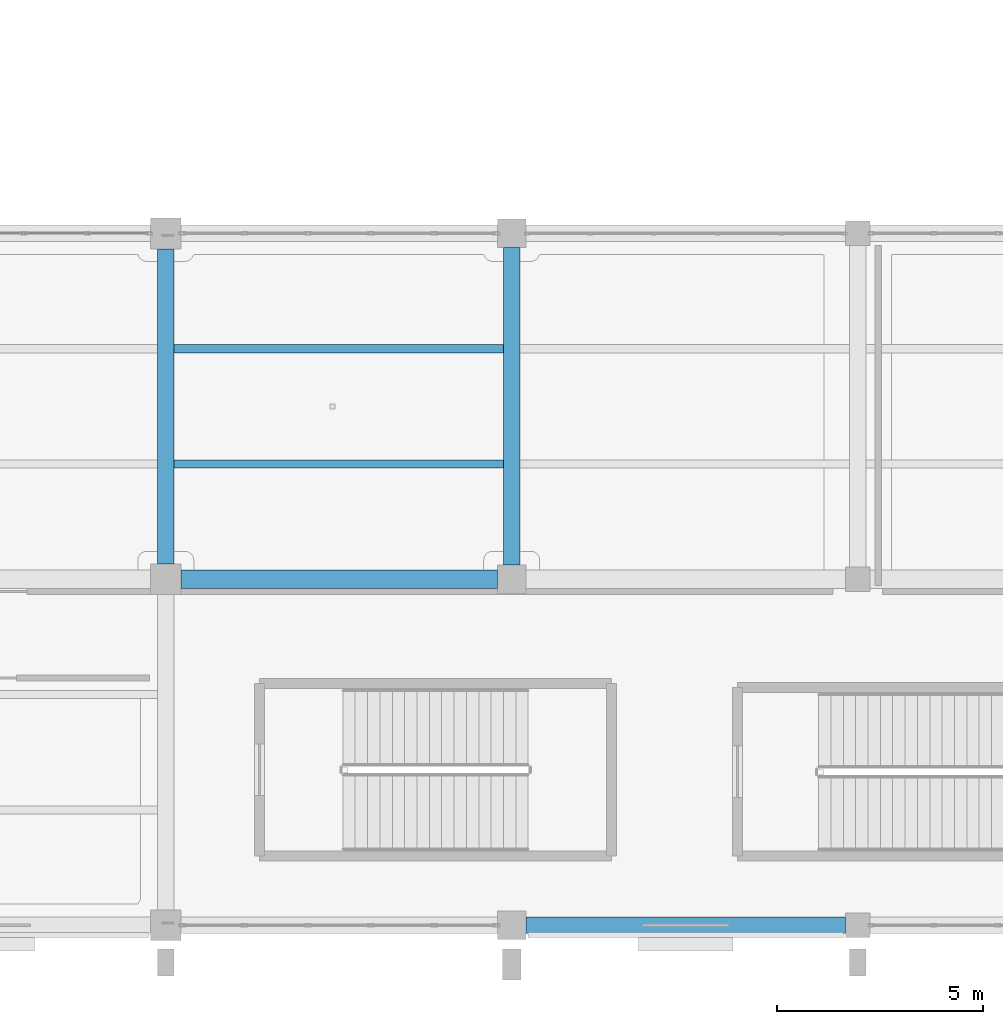
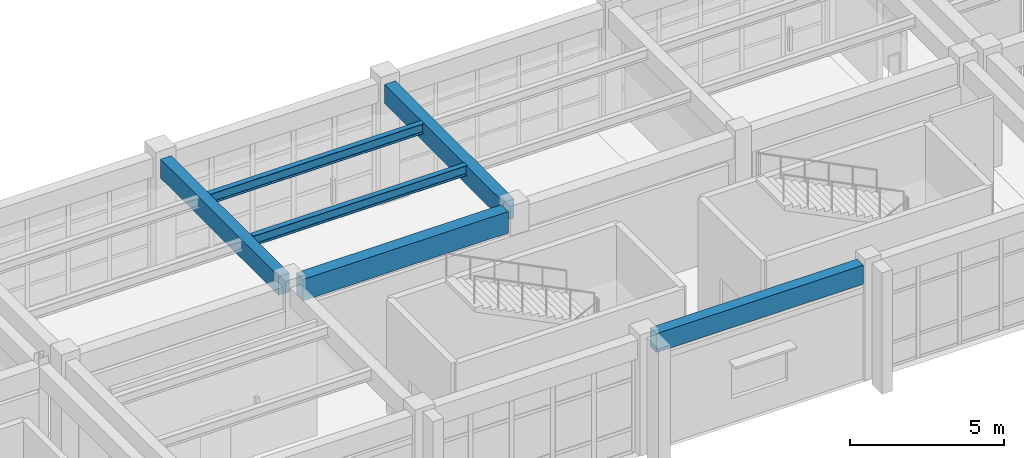
# One storey, part 19 of 98: 6 beams.
"""IFC4 building model written with IfcOpenShell, lengths in metres."""

from ifc_helpers import new_model, si_unit, direction, frame, origin, origin_2d, place, context, subcontext, project, spatial, rectangle, i_section, extrude, material, material_profile, profile_set, type_object, element, save


model = new_model("IFC4")

# Units and contexts
model_context = context("Model", 3, precision=1e-05, world=origin(), true_north=direction((0.0, 1.0)))
body_context = subcontext(model_context, "Body", "Model", "MODEL_VIEW")
ifc_project = project(units=[si_unit("LENGTHUNIT", "METRE"), si_unit("AREAUNIT", "SQUARE_METRE"), si_unit("VOLUMEUNIT", "CUBIC_METRE"), si_unit("PLANEANGLEUNIT", "RADIAN"), si_unit("MASSUNIT", "GRAM", prefix="KILO")], contexts=[model_context])

# Site, building, storey
site_placement = place(None, origin())
site = spatial("IfcSite", under=ifc_project, at=site_placement, CompositionType="ELEMENT")
building_placement = place(site_placement, origin())
building = spatial("IfcBuilding", under=site, at=building_placement, Name="Canglan Escarpment Cableway Terminal", CompositionType="ELEMENT")
storey_placement = place(building_placement, frame((0.0, 0.0, 9.60009765625)))
storey = spatial("IfcBuildingStorey", under=building, at=storey_placement, Name="L02", CompositionType="ELEMENT", Elevation=9.60009765625)

# Beams
ifc_material_1 = material(Name="Concrete C40", Category="concrete")
ifc_material_profile_1 = material_profile(ifc_material_1, rectangle(XDim=0.39990234375, YDim=0.75, at=origin_2d()), Name="RC 400x750")
ifc_profile_set_1 = profile_set([ifc_material_profile_1], Name="Concrete C40")
beam_type_1 = type_object("IfcBeamType", Name="BM-RC400x750", PredefinedType="BEAM", material=ifc_profile_set_1)
beam_1_placement = place(storey_placement, frame((85.39990234375, 16.77490234375, 4.10498046875), z_axis=(0.0, 1.0, 0.0), x_axis=(-1.0, 0.0, 0.0)))
element("IfcBeam", 1, at=beam_1_placement, inside=storey, type_object=beam_type_1, Name="Primary transverse girder B-03", PredefinedType="BEAM", context=body_context, shape_type="SweptSolid", body=[
    extrude(rectangle(XDim=0.39990234375, YDim=0.75, at=origin_2d()), origin(), (0.0, 0.0, 1.0), 7.650146484375),
])
beam_2_placement = place(storey_placement, frame((93.800048828125, 16.75, 4.10498046875), z_axis=(0.0, 1.0, 0.0), x_axis=(-1.0, 0.0, 0.0)))
element("IfcBeam", 2, at=beam_2_placement, inside=storey, type_object=beam_type_1, Name="Primary transverse girder B-03", PredefinedType="BEAM", context=body_context, shape_type="SweptSolid", body=[
    extrude(rectangle(XDim=0.39990234375, YDim=0.75, at=origin_2d()), origin(), (0.0, 0.0, 1.0), 7.699951171875),
])
ifc_material_profile_2 = material_profile(ifc_material_1, rectangle(XDim=0.449951171875, YDim=0.85009765625, at=origin_2d()), Name="RC 450x850")
ifc_profile_set_2 = profile_set([ifc_material_profile_2], Name="Concrete C40")
beam_type_2 = type_object("IfcBeamType", Name="BM-RC450x850", PredefinedType="BEAM", material=ifc_profile_set_2)
beam_3_placement = place(storey_placement, frame((85.77490234375, 16.39990234375, 4.094970703125), z_axis=(1.0, 0.0, 0.0), x_axis=(0.0, 1.0, 0.0)))
element("IfcBeam", 3, at=beam_3_placement, inside=storey, type_object=beam_type_2, Name="Primary structural girder B-02", PredefinedType="BEAM", context=body_context, shape_type="SweptSolid", body=[
    extrude(rectangle(XDim=0.449951171875, YDim=0.85009765625, at=origin_2d()), origin(), (0.0, 0.0, 1.0), 7.675048828125),
])
ifc_material_2 = material(Name="Steel Q355B", Category="steel")
ifc_material_profile_3 = material_profile(ifc_material_2, i_section(OverallWidth=0.199951171875, OverallDepth=0.39990234375, WebThickness=0.008056640625, FlangeThickness=0.012939453125, FilletRadius=0.01611328125, at=origin_2d()), Name="HN 400x200x8x13")
ifc_profile_set_3 = profile_set([ifc_material_profile_3], Name="Steel Q355B")
beam_type_3 = type_object("IfcBeamType", Name="JS-HN400", PredefinedType="JOIST", material=ifc_profile_set_3)
for number, where, z_axis, x_axis, name in (
    (4, (85.60009765625, 19.199951171875, 4.31982421875), (1.0, 0.0, 0.0), (0.0, 1.0, 0.0), "Secondary composite deck joist J-03"),
    (5, (85.60009765625, 22.0, 4.27978515625), (1.0, 0.0, 0.0), (0.0, 1.0, 0.0), "Secondary composite deck joist J-03"),
):
    element("IfcBeam", number, at=place(storey_placement, frame(where, z_axis=z_axis, x_axis=x_axis)), inside=storey, type_object=beam_type_3, Name=name, PredefinedType="JOIST", context=body_context, shape_type="SweptSolid", body=[
        extrude(i_section(OverallWidth=0.199951171875, OverallDepth=0.39990234375, WebThickness=0.008056640625, FlangeThickness=0.012939453125, FilletRadius=0.01611328125, at=origin_2d()), origin(), (0.0, 0.0, 1.0), 8.0),
    ])
ifc_material_profile_4 = material_profile(ifc_material_1, rectangle(XDim=0.39990234375, YDim=0.75, at=origin_2d()), Name="RC 400x750")
ifc_profile_set_4 = profile_set([ifc_material_profile_4], Name="Concrete C40")
beam_type_4 = type_object("IfcBeamType", Name="SP-RC400x750", PredefinedType="SPANDREL", material=ifc_profile_set_4)
beam_4_placement = place(storey_placement, frame((94.14990234375, 8.0, 4.14501953125), z_axis=(1.0, 0.0, 0.0), x_axis=(0.0, 1.0, 0.0)))
element("IfcBeam", 6, at=beam_4_placement, inside=storey, type_object=beam_type_4, Name="Primary structural girder SP-01", PredefinedType="SPANDREL", context=body_context, shape_type="SweptSolid", body=[
    extrude(rectangle(XDim=0.39990234375, YDim=0.75, at=origin_2d()), origin(), (0.0, 0.0, 1.0), 7.75),
])

save(model, "model.ifc")
